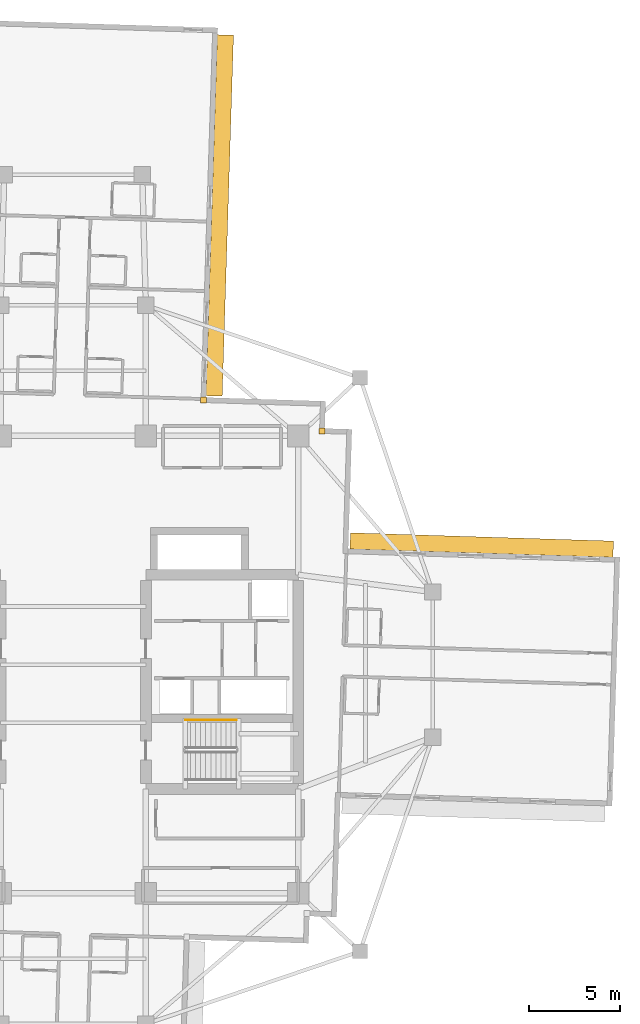
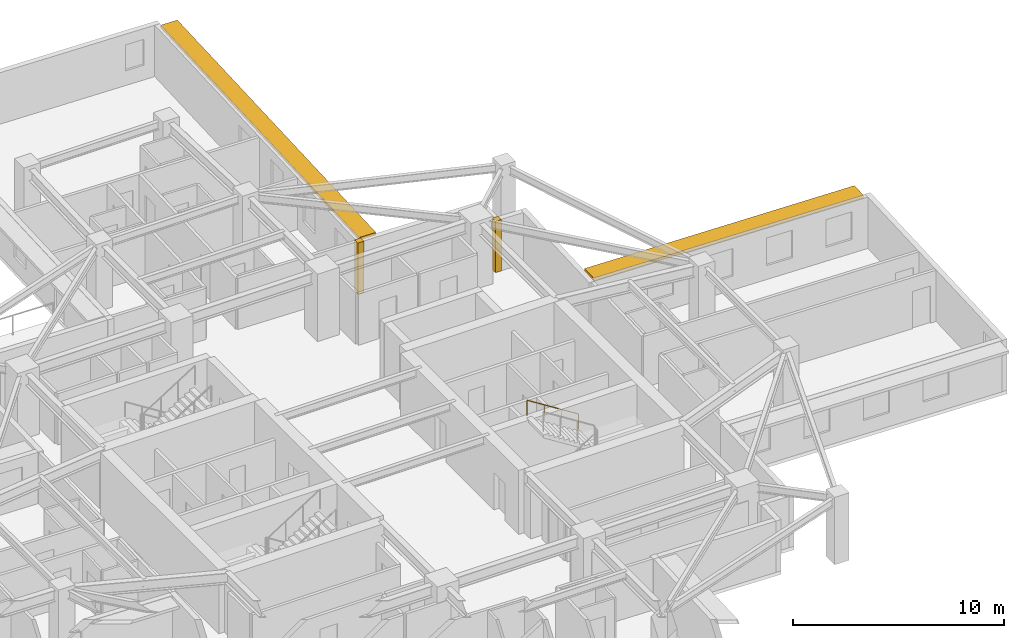
# One storey, part 13 of 13: 2 coverings, 2 shading devices, 1 railing.
"""IFC4 building model written with IfcOpenShell, lengths in metres."""

import ifcopenshell
import ifcopenshell.guid

model = None  # the IFC model being written
_history = None  # IfcOwnerHistory: only IFC2X3 demands one
_inside = {}  # id of a spatial element -> (the spatial element, [elements in it])
_under = {}  # id of a project, library or spatial element -> (it, [spatial elements below it])
_declared = {}  # id of a project -> (the project, [libraries it declares])
_typed = {}  # id of a type object -> (the type object, [elements of that type])
_made_of = {}  # id of a material, layer set ... -> (it, [elements and type objects made of it])


def new_model(schema):
    """Start an empty IFC model of exactly this schema.

    Asked for "IFC4X3", IfcOpenShell would pick the latest addendum, in which some entities
    have other attributes; the version numbers below select the first issue.
    IFC2X3 requires an IfcOwnerHistory on every rooted entity: one is made here for all.
    """
    global model, _history
    if schema == "IFC4X3":
        model = ifcopenshell.file(schema_version=(4, 3, 0, 0))
    else:
        model = ifcopenshell.file(schema=schema)
    _inside.clear()
    _under.clear()
    _declared.clear()
    _typed.clear()
    _made_of.clear()
    _history = None
    if model.schema == "IFC2X3":
        org = make("IfcOrganization", Name="unknown")
        user = make(
            "IfcPersonAndOrganization",
            ThePerson=make("IfcPerson", FamilyName="unknown"),
            TheOrganization=org,
        )
        app = make(
            "IfcApplication",
            ApplicationDeveloper=org,
            Version="unknown",
            ApplicationFullName="unknown",
            ApplicationIdentifier="unknown",
        )
        _history = make(
            "IfcOwnerHistory",
            OwningUser=user,
            OwningApplication=app,
            ChangeAction="ADDED",
            CreationDate=0,
        )
    return model


def make(cls, **values):
    """One entity of the class cls with the attributes given. An attribute that is None is left unset."""
    return model.create_entity(
        cls, **{name: value for name, value in values.items() if value is not None}
    )


def rooted(cls, **values):
    """An entity with a GlobalId (a new one), such as an element, a storey or a relation."""
    return make(cls, GlobalId=ifcopenshell.guid.new(), OwnerHistory=_history, **values)


def si_unit(unit_type, name, prefix=None):
    """IfcSIUnit, for example si_unit("LENGTHUNIT", "METRE", prefix="MILLI")."""
    return make("IfcSIUnit", UnitType=unit_type, Prefix=prefix, Name=name)


def assignment(units):
    """IfcUnitAssignment: the units of a project."""
    return None if units is None else make("IfcUnitAssignment", Units=units)


def point(xyz):
    """IfcCartesianPoint."""
    return None if xyz is None else make("IfcCartesianPoint", Coordinates=xyz)


def direction(xyz):
    """IfcDirection."""
    return None if xyz is None else make("IfcDirection", DirectionRatios=xyz)


def frame(location, z_axis=None, x_axis=None):
    """IfcAxis2Placement3D, a coordinate frame: its origin and axes. An axis left out is left unset."""
    return make(
        "IfcAxis2Placement3D",
        Location=point(location),
        Axis=direction(z_axis),
        RefDirection=direction(x_axis),
    )


def frame_2d(location, x_axis=None):
    """IfcAxis2Placement2D, a coordinate frame in the plane: its origin and x axis."""
    return make(
        "IfcAxis2Placement2D", Location=point(location), RefDirection=direction(x_axis)
    )


def origin():
    """The frame at (0, 0, 0) with its axes left unset."""
    return frame((0.0, 0.0, 0.0))


def origin_2d():
    """The frame at (0, 0) in the plane with its x axis left unset."""
    return frame_2d((0.0, 0.0))


def place(relative_to, where):
    """IfcLocalPlacement: puts the frame where relative to a parent placement (None: the world)."""
    return make(
        "IfcLocalPlacement", PlacementRelTo=relative_to, RelativePlacement=where
    )


def context(
    kind, dimensions, precision=None, world=None, true_north=None, identifier=None
):
    """IfcGeometricRepresentationContext, for example the 3D "Model" context."""
    return make(
        "IfcGeometricRepresentationContext",
        ContextIdentifier=identifier,
        ContextType=kind,
        CoordinateSpaceDimension=dimensions,
        Precision=precision,
        WorldCoordinateSystem=world,
        TrueNorth=true_north,
    )


def subcontext(parent, identifier, kind, view, scale=None):
    """IfcGeometricRepresentationSubContext, for example "Body" below "Model"."""
    return make(
        "IfcGeometricRepresentationSubContext",
        ContextIdentifier=identifier,
        ContextType=kind,
        ParentContext=parent,
        TargetScale=scale,
        TargetView=view,
    )


def project(units=None, contexts=None):
    """IfcProject with its units and contexts."""
    return rooted(
        "IfcProject",
        Name="project",
        RepresentationContexts=contexts,
        UnitsInContext=assignment(units),
    )


def spatial(cls, under=None, at=None, **own):
    """A site, building, storey or space (cls), placed at a placement, below another one or the project."""
    s = rooted(cls, ObjectPlacement=at, **own)
    if under is not None:
        _under.setdefault(under.id(), (under, []))[1].append(s)
    return s


def profile(cls, at=None, kind="AREA", **sizes):
    """A parametric profile (cls). Its sizes go by their IFC names, for example OverallWidth=200.0."""
    return make(cls, ProfileType=kind, Position=at, **sizes)


def rectangle(**sizes):
    """IfcRectangleProfileDef."""
    return profile("IfcRectangleProfileDef", **sizes)


def circle(**sizes):
    """IfcCircleProfileDef."""
    return profile("IfcCircleProfileDef", **sizes)


def extrude(swept, where, along, depth):
    """IfcExtrudedAreaSolid: the profile swept, set in the frame where, extruded along a direction by depth."""
    return make(
        "IfcExtrudedAreaSolid",
        SweptArea=swept,
        Position=where,
        ExtrudedDirection=direction(along),
        Depth=depth,
    )


def shape(context_of_items, identifier, shape_type, items):
    """IfcShapeRepresentation: the items that make up one representation, for example the "Body"."""
    return make(
        "IfcShapeRepresentation",
        ContextOfItems=context_of_items,
        RepresentationIdentifier=identifier,
        RepresentationType=shape_type,
        Items=items,
    )


def material(Name=None, Category=None):
    """IfcMaterial."""
    return make("IfcMaterial", Name=Name, Category=Category)


def layer(
    of_material, thickness, ventilated=None, Name=None, Category=None, Priority=None
):
    """IfcMaterialLayer: one layer of a wall or slab, of a material (None: an air gap)."""
    return make(
        "IfcMaterialLayer",
        Material=of_material,
        LayerThickness=thickness,
        IsVentilated=ventilated,
        Name=Name,
        Category=Category,
        Priority=Priority,
    )


def layer_set(layers, Name=None):
    """IfcMaterialLayerSet."""
    return make("IfcMaterialLayerSet", MaterialLayers=layers, LayerSetName=Name)


def made_of(thing, what):
    """Note that an element or type object is made of a material, layer set ...; save() writes the relation."""
    if what is not None:
        _made_of.setdefault(what.id(), (what, []))[1].append(thing)
    return thing


def type_object(cls, material=None, **own):
    """A type object (cls), such as IfcWallType, which elements share."""
    return made_of(rooted(cls, **own), material)


def element(
    cls,
    number,
    at=None,
    inside=None,
    cuts=None,
    type_object=None,
    material=None,
    context=None,
    identifier="Body",
    shape_type=None,
    held_by="IfcProductDefinitionShape",
    body=None,
    shapes=None,
    **own,
):
    """One element of the class cls, such as IfcWall. Its Tag is "e" and its number.

    at: its placement. inside: the storey or other place that contains it. cuts: it is an
    opening in that element (IfcRelVoidsElement). A single representation is given by context,
    identifier, shape_type and body (its items); several are given by shapes. held_by: the class
    of the entity that holds the representations. save() writes the other relations.
    """
    e = rooted(cls, Tag="e%d" % number, ObjectPlacement=at, **own)
    if body is not None:
        shapes = [shape(context, identifier, shape_type, body)]
    if shapes is not None:
        e.Representation = make(held_by, Representations=shapes)
    if inside is not None:
        _inside.setdefault(inside.id(), (inside, []))[1].append(e)
    if cuts is not None:
        rooted(
            "IfcRelVoidsElement", RelatingBuildingElement=cuts, RelatedOpeningElement=e
        )
    if type_object is not None:
        _typed.setdefault(type_object.id(), (type_object, []))[1].append(e)
    return made_of(e, material)


def aggregate(whole, parts):
    """IfcRelAggregates: a whole, such as a stair, and the parts it consists of."""
    return rooted("IfcRelAggregates", RelatingObject=whole, RelatedObjects=parts)


def save(model, path):
    """Write the relations noted so far, then the file.

    IfcRelAggregates (storeys below a building ...), IfcRelContainedInSpatialStructure (elements
    in a storey), IfcRelDefinesByType, IfcRelAssociatesMaterial and IfcRelDeclares: one each for
    every whole, place, type object, material and project.
    """
    for whole, parts in _under.values():
        aggregate(whole, parts)
    for where, things in _inside.values():
        rooted(
            "IfcRelContainedInSpatialStructure",
            RelatedElements=things,
            RelatingStructure=where,
        )
    for kind, things in _typed.values():
        rooted("IfcRelDefinesByType", RelatedObjects=things, RelatingType=kind)
    for what, things in _made_of.values():
        rooted("IfcRelAssociatesMaterial", RelatedObjects=things, RelatingMaterial=what)
    for by, libraries in _declared.values():
        rooted("IfcRelDeclares", RelatingContext=by, RelatedDefinitions=libraries)
    model.write(path)


model = new_model("IFC4")

# Units and contexts
model_context = context("Model", 3, precision=1e-05, world=origin(), true_north=direction((0.0, 1.0)))
body_context = subcontext(model_context, "Body", "Model", "MODEL_VIEW")
ifc_project = project(units=[si_unit("LENGTHUNIT", "METRE"), si_unit("AREAUNIT", "SQUARE_METRE"), si_unit("VOLUMEUNIT", "CUBIC_METRE"), si_unit("PLANEANGLEUNIT", "RADIAN"), si_unit("MASSUNIT", "GRAM", prefix="KILO")], contexts=[model_context])

# Site, building, storey
site_placement = place(None, origin())
site = spatial("IfcSite", under=ifc_project, at=site_placement, CompositionType="ELEMENT")
building_placement = place(site_placement, origin())
building = spatial("IfcBuilding", under=site, at=building_placement, Name="Qingluan Cross Belvedere", CompositionType="ELEMENT")
storey_placement = place(building_placement, frame((0.0, 0.0, 152.699951171875)))
storey = spatial("IfcBuildingStorey", under=building, at=storey_placement, Name="L38", CompositionType="ELEMENT", Elevation=152.699951171875)

# Coverings
ifc_material_1 = material(Name="Precast concrete C45", Category="concrete")
ifc_layer_1 = layer(ifc_material_1, 0.1201171875, Name="ConcreteSpandrelCladding_120")
ifc_layer_set_1 = layer_set([ifc_layer_1], Name="Precast concrete C45")
covering_type = type_object("IfcCoveringType", Name="ConcreteSpandrelCladding_120", PredefinedType="CLADDING", material=ifc_layer_set_1)
for number, where, z_axis, x_axis, name in (
    (1, (13.711181640625, 12.875732421875, 0.0), (0.0, 0.0, 1.0), (0.999506560366, -0.031410759078, 0.0), "Corner closure L38-NE1"),
    (2, (7.181640625, 14.58154296875, 0.0), (0.0, 0.0, 1.0), (0.999506560366, -0.031410759078, 0.0), "Corner closure L38-NE2"),
):
    element("IfcCovering", number, at=place(storey_placement, frame(where, z_axis=z_axis, x_axis=x_axis)), inside=storey, type_object=covering_type, Name=name, PredefinedType="CLADDING", context=body_context, shape_type="SweptSolid", body=[
        extrude(rectangle(XDim=0.320068359375, YDim=0.320068359375, at=origin_2d()), origin(), (0.0, 0.0, 1.0), 2.969970703125),
    ])

# Shading devices
ifc_material_2 = material(Name="Precast concrete C45", Category="concrete")
ifc_layer_2 = layer(ifc_material_2, 0.159912109375, Name="ConcreteSunshadeBand_900")
ifc_layer_set_2 = layer_set([ifc_layer_2], Name="Precast concrete C45")
shading_device_type = type_object("IfcShadingDeviceType", Name="ConcreteSunshadeBand_900", PredefinedType="USERDEFINED", material=ifc_layer_set_2)
shading_device_1_placement = place(storey_placement, frame((22.508056640625, 6.586181640625, 2.7900390625), z_axis=(0.0, 0.0, 1.0), x_axis=(-0.999506645453, 0.031408051437, 0.0)))
element("IfcShadingDevice", 3, at=shading_device_1_placement, inside=storey, type_object=shading_device_type, Name="Concrete SUNSHADE L38-EB", ObjectType="SUNSHADE", PredefinedType="USERDEFINED", context=body_context, shape_type="SweptSolid", body=[
    extrude(rectangle(XDim=14.5, YDim=0.89990234375, at=origin_2d()), origin(), (0.0, 0.0, 1.0), 0.159912109375),
])
shading_device_2_placement = place(storey_placement, frame((8.0712890625, 24.74853515625, 2.7900390625), z_axis=(0.0, 0.0, 1.0), x_axis=(0.031407934627, 0.999506649124, 0.0)))
element("IfcShadingDevice", 4, at=shading_device_2_placement, inside=storey, type_object=shading_device_type, Name="Concrete SUNSHADE L38-NA", ObjectType="SUNSHADE", PredefinedType="USERDEFINED", context=body_context, shape_type="SweptSolid", body=[
    extrude(rectangle(XDim=19.89990234375, YDim=0.89990234375, at=origin_2d()), origin(), (0.0, 0.0, 1.0), 0.159912109375),
])

# Railing
ifc_material_3 = material(Name="Brushed stainless steel tubular handrail", Category="steel")
railing_type = type_object("IfcRailingType", Name="StairPitchHandrail_900", PredefinedType="HANDRAIL", material=ifc_material_3)
railing_placement = place(storey_placement, frame((8.97998046875, -3.050048828125, 2.12744140625)))
element("IfcRailing", 5, at=railing_placement, inside=storey, type_object=railing_type, Name="L38 ST2 stair handrail 2", PredefinedType="HANDRAIL", context=body_context, shape_type="SweptSolid", body=[
    extrude(circle(Radius=0.02392578125, at=origin_2d()), frame((0.0, 0.0, 0.8759765625), z_axis=(-0.844908973607, 0.0, 0.534910110503), x_axis=(0.0, -1.0, 0.0)), (0.0, 0.0, 1.0), 3.31396484375),
    extrude(circle(Radius=0.02099609375, at=origin_2d()), origin(), (0.0, 0.0, 1.0), 0.851806640625),
    extrude(circle(Radius=0.02099609375, at=origin_2d()), frame((-0.933349609375, 0.0, 0.5908203125)), (0.0, 0.0, 1.0), 0.851806640625),
    extrude(circle(Radius=0.02099609375, at=origin_2d()), frame((-1.86669921875, 0.0, 1.181884765625)), (0.0, 0.0, 1.0), 0.851806640625),
    extrude(circle(Radius=0.02099609375, at=origin_2d()), frame((-2.800048828125, 0.0, 1.772705078125)), (0.0, 0.0, 1.0), 0.851806640625),
])

save(model, "model.ifc")
